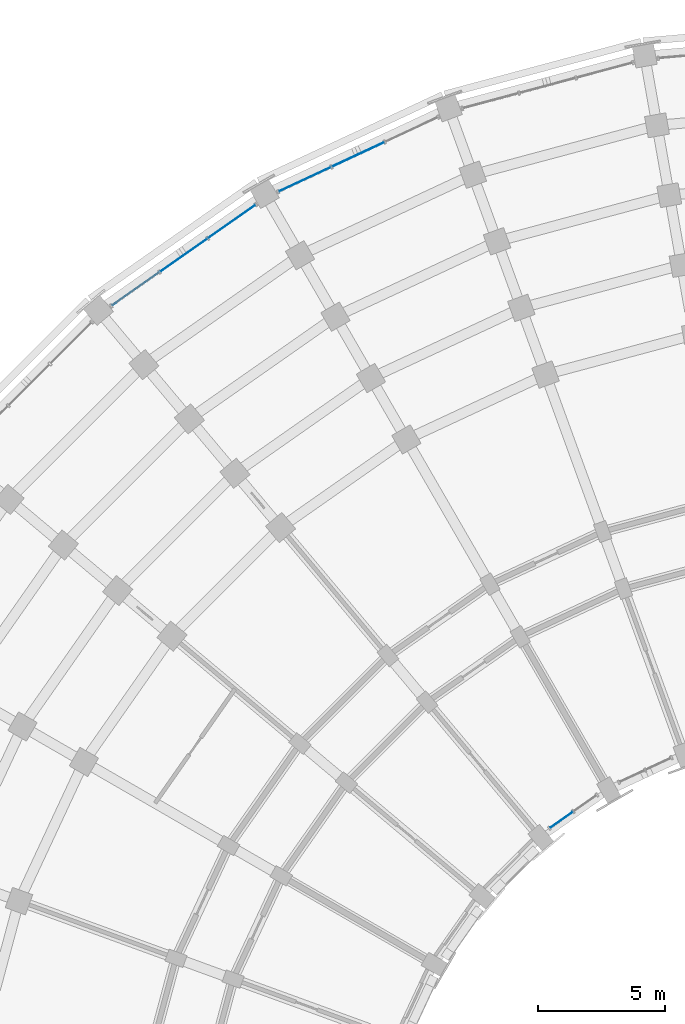
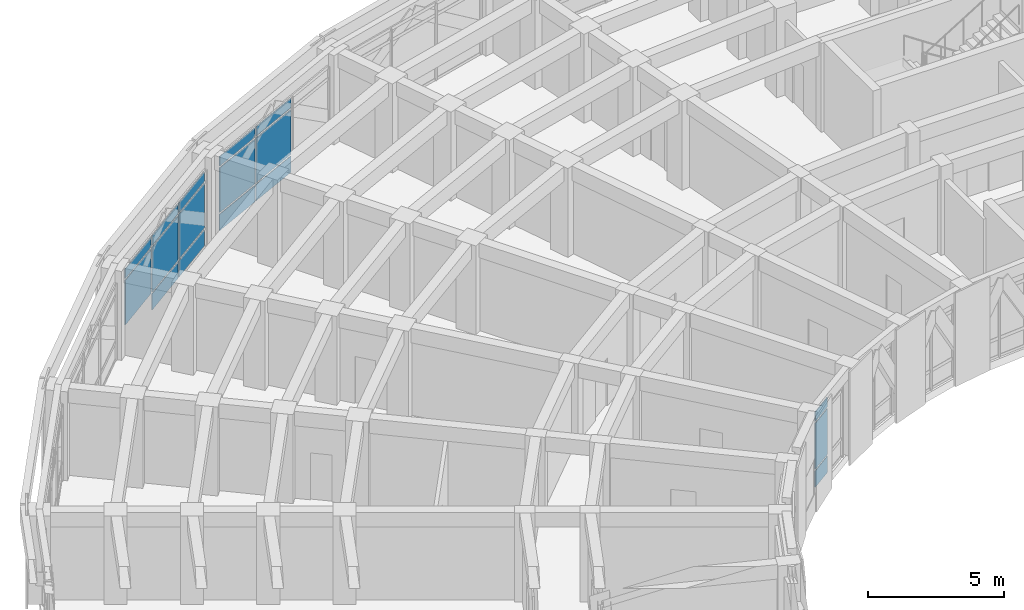
# One storey, part 48 of 97: 17 plates, 3 elements without a shape of their own.
"""IFC4 building model written with IfcOpenShell, lengths in metres."""

from ifc_helpers import new_model, si_unit, direction, frame, origin, origin_2d, place, context, subcontext, project, spatial, rectangle, extrude, material, layer, layer_set, type_object, element, aggregate, save


model = new_model("IFC4")

# Units and contexts
model_context = context("Model", 3, precision=1e-05, world=origin(), true_north=direction((0.0, 1.0)))
body_context = subcontext(model_context, "Body", "Model", "MODEL_VIEW")
ifc_project = project(units=[si_unit("LENGTHUNIT", "METRE"), si_unit("AREAUNIT", "SQUARE_METRE"), si_unit("VOLUMEUNIT", "CUBIC_METRE"), si_unit("PLANEANGLEUNIT", "RADIAN"), si_unit("MASSUNIT", "GRAM", prefix="KILO")], contexts=[model_context])

# Site, building, storey
site_placement = place(None, origin())
site = spatial("IfcSite", under=ifc_project, at=site_placement, CompositionType="ELEMENT")
building_placement = place(site_placement, origin())
building = spatial("IfcBuilding", under=site, at=building_placement, Name="Kiranvali Square Residences", CompositionType="ELEMENT")
storey_placement = place(building_placement, frame((0.0, 0.0, 4.5)))
storey = spatial("IfcBuildingStorey", under=building, at=storey_placement, Name="L01", CompositionType="ELEMENT", Elevation=4.5)

# Curtain wall, plates
ifc_material_1 = material(Name="Anodised bronze aluminium framing", Category="aluminium")
curtain_wall_type = type_object("IfcCurtainWallType", Name="CW-RET-SHOP", PredefinedType="USERDEFINED", material=ifc_material_1)
curtain_wall_1_placement = place(storey_placement, origin())
curtain_wall_1 = element("IfcCurtainWall", 1, at=curtain_wall_1_placement, inside=storey, type_object=curtain_wall_type, Name="Block A L01 rounded-corner arcade curtain wall 3", ObjectType="CURTAIN WALL", PredefinedType="USERDEFINED")
ifc_material_2 = material(Name="Solar-control low-e double glazing", Category="glass")
ifc_layer_1 = layer(ifc_material_2, 0.028076171875)
ifc_layer_set_1 = layer_set([ifc_layer_1], Name="Solar-control low-e double glazing")
plate_type_1 = type_object("IfcPlateType", Name="PLT-CW-GLZ", PredefinedType="CURTAIN_PANEL", material=ifc_layer_set_1)
plate_1_placement = place(storey_placement, frame((28.89697265625, 129.195556640625, 0.889892578125), z_axis=(0.0, 0.0, 1.0), x_axis=(-0.906307787037, -0.422618261741, 0.0)))
plate_1 = element("IfcPlate", 2, at=plate_1_placement, type_object=plate_type_1, Name="CW-A-L01-CRV-02 glazed panel 2.2", PredefinedType="CURTAIN_PANEL", context=body_context, shape_type="SweptSolid", body=[
    extrude(rectangle(XDim=2.239501953125, YDim=0.028076171875, at=origin_2d()), origin(), (0.0, 0.0, 1.0), 2.0),
])
plate_2_placement = place(storey_placement, frame((28.89697265625, 129.195556640625, 2.97021484375), z_axis=(0.0, 0.0, 1.0), x_axis=(-0.906307787037, -0.422618261741, 0.0)))
plate_2 = element("IfcPlate", 3, at=plate_2_placement, type_object=plate_type_1, Name="CW-A-L01-CRV-02 glazed panel 2.3", PredefinedType="CURTAIN_PANEL", context=body_context, shape_type="SweptSolid", body=[
    extrude(rectangle(XDim=2.239501953125, YDim=0.028076171875, at=origin_2d()), origin(), (0.0, 0.0, 1.0), 0.429931640625),
])
plate_3_placement = place(storey_placement, frame((26.794921875, 128.21533203125, 0.889892578125), z_axis=(0.0, 0.0, 1.0), x_axis=(-0.906307787037, -0.422618261741, 0.0)))
plate_3 = element("IfcPlate", 4, at=plate_3_placement, type_object=plate_type_1, Name="CW-A-L01-CRV-02 glazed panel 3.2", PredefinedType="CURTAIN_PANEL", context=body_context, shape_type="SweptSolid", body=[
    extrude(rectangle(XDim=2.239501953125, YDim=0.028076171875, at=origin_2d()), origin(), (0.0, 0.0, 1.0), 2.0),
])
plate_4_placement = place(storey_placement, frame((26.794921875, 128.21533203125, 2.97021484375), z_axis=(0.0, 0.0, 1.0), x_axis=(-0.906307787037, -0.422618261741, 0.0)))
plate_4 = element("IfcPlate", 5, at=plate_4_placement, type_object=plate_type_1, Name="CW-A-L01-CRV-02 glazed panel 3.3", PredefinedType="CURTAIN_PANEL", context=body_context, shape_type="SweptSolid", body=[
    extrude(rectangle(XDim=2.239501953125, YDim=0.028076171875, at=origin_2d()), origin(), (0.0, 0.0, 1.0), 0.429931640625),
])

curtain_wall_2_placement = place(storey_placement, origin())
curtain_wall_2 = element("IfcCurtainWall", 6, at=curtain_wall_2_placement, inside=storey, type_object=curtain_wall_type, Name="Block A L01 rounded-corner arcade curtain wall 4", ObjectType="CURTAIN WALL", PredefinedType="USERDEFINED")
plate_5_placement = place(storey_placement, frame((23.90185546875, 126.545166015625, 0.889892578125), z_axis=(0.0, 0.0, 1.0), x_axis=(-0.819152044289, -0.573576436351, 0.0)))
plate_5 = element("IfcPlate", 7, at=plate_5_placement, type_object=plate_type_1, Name="CW-A-L01-CRV-03 glazed panel 1.2", PredefinedType="CURTAIN_PANEL", context=body_context, shape_type="SweptSolid", body=[
    extrude(rectangle(XDim=2.239501953125, YDim=0.028076171875, at=origin_2d()), origin(), (0.0, 0.0, 1.0), 2.0),
])
plate_6_placement = place(storey_placement, frame((23.90185546875, 126.545166015625, 2.97021484375), z_axis=(0.0, 0.0, 1.0), x_axis=(-0.819152044289, -0.573576436351, 0.0)))
plate_6 = element("IfcPlate", 8, at=plate_6_placement, type_object=plate_type_1, Name="CW-A-L01-CRV-03 glazed panel 1.3", PredefinedType="CURTAIN_PANEL", context=body_context, shape_type="SweptSolid", body=[
    extrude(rectangle(XDim=2.239501953125, YDim=0.028076171875, at=origin_2d()), origin(), (0.0, 0.0, 1.0), 0.429931640625),
])
plate_7_placement = place(storey_placement, frame((22.001953125, 125.21484375, 0.889892578125), z_axis=(0.0, 0.0, 1.0), x_axis=(-0.819152044289, -0.573576436351, 0.0)))
plate_7 = element("IfcPlate", 9, at=plate_7_placement, type_object=plate_type_1, Name="CW-A-L01-CRV-03 glazed panel 2.2", PredefinedType="CURTAIN_PANEL", context=body_context, shape_type="SweptSolid", body=[
    extrude(rectangle(XDim=2.239501953125, YDim=0.028076171875, at=origin_2d()), origin(), (0.0, 0.0, 1.0), 2.0),
])
plate_8_placement = place(storey_placement, frame((22.001953125, 125.21484375, 2.97021484375), z_axis=(0.0, 0.0, 1.0), x_axis=(-0.819152044289, -0.573576436351, 0.0)))
plate_8 = element("IfcPlate", 10, at=plate_8_placement, type_object=plate_type_1, Name="CW-A-L01-CRV-03 glazed panel 2.3", PredefinedType="CURTAIN_PANEL", context=body_context, shape_type="SweptSolid", body=[
    extrude(rectangle(XDim=2.239501953125, YDim=0.028076171875, at=origin_2d()), origin(), (0.0, 0.0, 1.0), 0.429931640625),
])
plate_9_placement = place(storey_placement, frame((20.10205078125, 123.88427734375, 0.889892578125), z_axis=(0.0, 0.0, 1.0), x_axis=(-0.819152044289, -0.573576436351, 0.0)))
plate_9 = element("IfcPlate", 11, at=plate_9_placement, type_object=plate_type_1, Name="CW-A-L01-CRV-03 glazed panel 3.2", PredefinedType="CURTAIN_PANEL", context=body_context, shape_type="SweptSolid", body=[
    extrude(rectangle(XDim=2.239501953125, YDim=0.028076171875, at=origin_2d()), origin(), (0.0, 0.0, 1.0), 2.0),
])
plate_10_placement = place(storey_placement, frame((20.10205078125, 123.88427734375, 2.97021484375), z_axis=(0.0, 0.0, 1.0), x_axis=(-0.819152044289, -0.573576436351, 0.0)))
plate_10 = element("IfcPlate", 12, at=plate_10_placement, type_object=plate_type_1, Name="CW-A-L01-CRV-03 glazed panel 3.3", PredefinedType="CURTAIN_PANEL", context=body_context, shape_type="SweptSolid", body=[
    extrude(rectangle(XDim=2.239501953125, YDim=0.028076171875, at=origin_2d()), origin(), (0.0, 0.0, 1.0), 0.429931640625),
])

curtain_wall_3_placement = place(storey_placement, origin())
curtain_wall_3 = element("IfcCurtainWall", 13, at=curtain_wall_3_placement, inside=storey, type_object=curtain_wall_type, Name="Block A L01 garden foyer curtain wall 4", ObjectType="CURTAIN WALL", PredefinedType="USERDEFINED")
plate_11_placement = place(storey_placement, frame((36.922607421875, 102.913330078125, 0.89013671875), z_axis=(0.0, 0.0, 1.0), x_axis=(-0.819152044289, -0.573576436351, 0.0)))
plate_11 = element("IfcPlate", 14, at=plate_11_placement, type_object=plate_type_1, Name="CW-A-L01-GDN-03 glazed panel 2.2", PredefinedType="CURTAIN_PANEL", context=body_context, shape_type="SweptSolid", body=[
    extrude(rectangle(XDim=1.05859375, YDim=0.028076171875, at=origin_2d()), origin(), (0.0, 0.0, 1.0), 2.050048828125),
])
plate_12_placement = place(storey_placement, frame((36.922607421875, 102.913330078125, 3.02001953125), z_axis=(0.0, 0.0, 1.0), x_axis=(-0.819152044289, -0.573576436351, 0.0)))
plate_12 = element("IfcPlate", 15, at=plate_12_placement, type_object=plate_type_1, Name="CW-A-L01-GDN-03 glazed panel 2.3", PredefinedType="CURTAIN_PANEL", context=body_context, shape_type="SweptSolid", body=[
    extrude(rectangle(XDim=1.05859375, YDim=0.028076171875, at=origin_2d()), origin(), (0.0, 0.0, 1.0), 0.429931640625),
])

# Plate
ifc_material_3 = material(Name="Honed Porbandar limestone ashlar facade cladding", Category="masonry")
ifc_layer_2 = layer(ifc_material_3, 0.02392578125)
ifc_layer_set_2 = layer_set([ifc_layer_2], Name="Honed Porbandar limestone ashlar facade cladding")
plate_type_2 = type_object("IfcPlateType", Name="PLT-CW-SPN", PredefinedType="SHEET", material=ifc_layer_set_2)
plate_13_placement = place(storey_placement, frame((28.89697265625, 129.195556640625, 0.080078125), z_axis=(0.0, 0.0, 1.0), x_axis=(-0.906307787037, -0.422618261741, 0.0)))
plate_13 = element("IfcPlate", 16, at=plate_13_placement, type_object=plate_type_2, Name="CW-A-L01-CRV-02 spandrel panel 2.1", PredefinedType="SHEET", context=body_context, shape_type="SweptSolid", body=[
    extrude(rectangle(XDim=2.239501953125, YDim=0.02392578125, at=origin_2d()), origin(), (0.0, 0.0, 1.0), 0.72998046875),
])

plate_14_placement = place(storey_placement, frame((26.794921875, 128.21533203125, 0.080078125), z_axis=(0.0, 0.0, 1.0), x_axis=(-0.906307787037, -0.422618261741, 0.0)))
plate_14 = element("IfcPlate", 17, at=plate_14_placement, type_object=plate_type_2, Name="CW-A-L01-CRV-02 spandrel panel 3.1", PredefinedType="SHEET", context=body_context, shape_type="SweptSolid", body=[
    extrude(rectangle(XDim=2.239501953125, YDim=0.02392578125, at=origin_2d()), origin(), (0.0, 0.0, 1.0), 0.72998046875),
])

aggregate(curtain_wall_1, [plate_13, plate_1, plate_2, plate_14, plate_3, plate_4])

plate_15_placement = place(storey_placement, frame((23.90185546875, 126.545166015625, 0.080078125), z_axis=(0.0, 0.0, 1.0), x_axis=(-0.819152044289, -0.573576436351, 0.0)))
plate_15 = element("IfcPlate", 18, at=plate_15_placement, type_object=plate_type_2, Name="CW-A-L01-CRV-03 spandrel panel 1.1", PredefinedType="SHEET", context=body_context, shape_type="SweptSolid", body=[
    extrude(rectangle(XDim=2.239501953125, YDim=0.02392578125, at=origin_2d()), origin(), (0.0, 0.0, 1.0), 0.72998046875),
])

plate_16_placement = place(storey_placement, frame((22.001953125, 125.21484375, 0.080078125), z_axis=(0.0, 0.0, 1.0), x_axis=(-0.819152044289, -0.573576436351, 0.0)))
plate_16 = element("IfcPlate", 19, at=plate_16_placement, type_object=plate_type_2, Name="CW-A-L01-CRV-03 spandrel panel 2.1", PredefinedType="SHEET", context=body_context, shape_type="SweptSolid", body=[
    extrude(rectangle(XDim=2.239501953125, YDim=0.02392578125, at=origin_2d()), origin(), (0.0, 0.0, 1.0), 0.72998046875),
])

aggregate(curtain_wall_2, [plate_15, plate_5, plate_6, plate_16, plate_7, plate_8, plate_9, plate_10])

plate_17_placement = place(storey_placement, frame((36.922607421875, 102.913330078125, 0.080078125), z_axis=(0.0, 0.0, 1.0), x_axis=(-0.819152044289, -0.573576436351, 0.0)))
plate_17 = element("IfcPlate", 20, at=plate_17_placement, type_object=plate_type_2, Name="CW-A-L01-GDN-03 spandrel panel 2.1", PredefinedType="SHEET", context=body_context, shape_type="SweptSolid", body=[
    extrude(rectangle(XDim=1.05859375, YDim=0.02392578125, at=origin_2d()), origin(), (0.0, 0.0, 1.0), 0.72998046875),
])

aggregate(curtain_wall_3, [plate_17, plate_11, plate_12])

save(model, "model.ifc")
